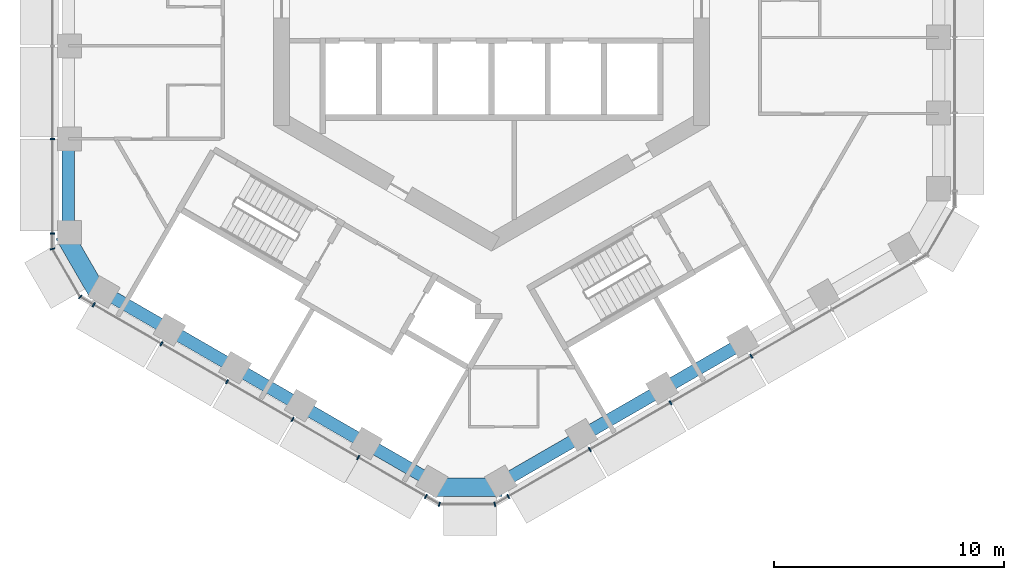
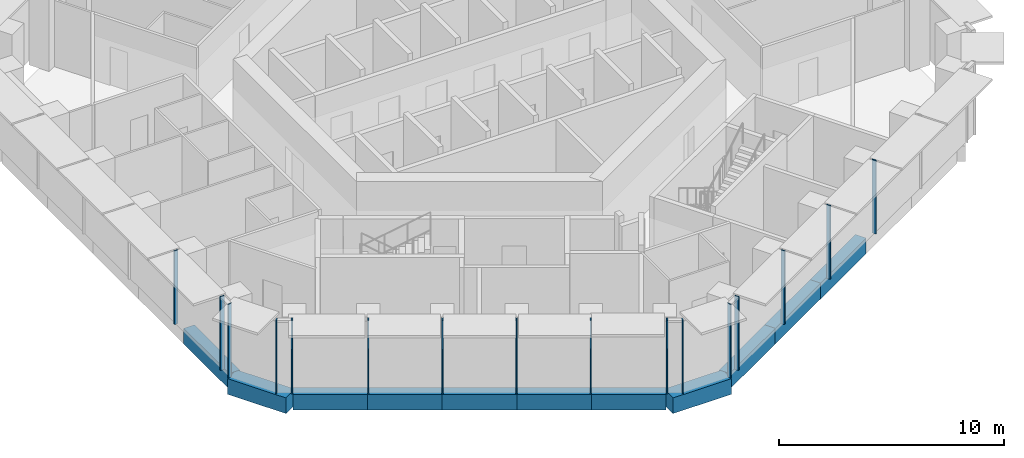
# One storey, part 2 of 28: 16 members, 11 beams, 5 elements without a shape of their own.
"""IFC4 building model written with IfcOpenShell, lengths in metres."""

from ifc_helpers import new_model, si_unit, direction, frame, origin, origin_2d, place, context, subcontext, project, spatial, rectangle, extrude, material, layer, layer_set, material_profile, profile_set, type_object, element, aggregate, save


model = new_model("IFC4")

# Units and contexts
model_context = context("Model", 3, precision=1e-05, world=origin(), true_north=direction((0.0, 1.0)))
body_context = subcontext(model_context, "Body", "Model", "MODEL_VIEW")
ifc_project = project(units=[si_unit("LENGTHUNIT", "METRE"), si_unit("AREAUNIT", "SQUARE_METRE"), si_unit("VOLUMEUNIT", "CUBIC_METRE"), si_unit("PLANEANGLEUNIT", "RADIAN"), si_unit("MASSUNIT", "GRAM", prefix="KILO")], contexts=[model_context])

# Site, building, storey
site_placement = place(None, origin())
site = spatial("IfcSite", under=ifc_project, at=site_placement, CompositionType="ELEMENT")
building_placement = place(site_placement, origin())
building = spatial("IfcBuilding", under=site, at=building_placement, Name="Ayvan Gate Tower", CompositionType="ELEMENT")
storey_placement = place(building_placement, frame((0.0, 0.0, 143.89990234375)))
storey = spatial("IfcBuildingStorey", under=building, at=storey_placement, Name="L38", CompositionType="ELEMENT", Elevation=143.89990234375)

# Beams
ifc_material_1 = material(Name="Concrete C40/50", Category="concrete")
ifc_material_profile_1 = material_profile(ifc_material_1, rectangle(XDim=0.800048828125, YDim=0.85009765625, at=origin_2d()), Name="RC 800x850")
ifc_profile_set_1 = profile_set([ifc_material_profile_1], Name="Concrete C40/50")
beam_type_1 = type_object("IfcBeamType", Name="Corner spandrel beam RC 800x850 C40/50", PredefinedType="BEAM", material=ifc_profile_set_1)
beam_1_placement = place(storey_placement, frame((-18.629150390625, -10.232421875, -0.824951171875), z_axis=(0.50002537861, -0.866010750942, 0.0), x_axis=(0.866010750942, 0.50002537861, 0.0)))
element("IfcBeam", 1, at=beam_1_placement, inside=storey, type_object=beam_type_1, Name="SB-L38-24", PredefinedType="BEAM", context=body_context, shape_type="SweptSolid", body=[
    extrude(rectangle(XDim=0.800048828125, YDim=0.85009765625, at=origin_2d()), origin(), (0.0, 0.0, 1.0), 2.999755859375),
])
beam_2_placement = place(storey_placement, frame((-2.546875, -21.24951171875, -0.824951171875), z_axis=(1.0, 0.0, 0.0), x_axis=(0.0, 1.0, 0.0)))
element("IfcBeam", 2, at=beam_2_placement, inside=storey, type_object=beam_type_1, Name="SB-L38-30", PredefinedType="BEAM", context=body_context, shape_type="SweptSolid", body=[
    extrude(rectangle(XDim=0.800048828125, YDim=0.85009765625, at=origin_2d()), origin(), (0.0, 0.0, 1.0), 3.0),
])
ifc_material_profile_2 = material_profile(ifc_material_1, rectangle(XDim=0.550048828125, YDim=0.85009765625, at=origin_2d()), Name="RC 550x850")
ifc_profile_set_2 = profile_set([ifc_material_profile_2], Name="Concrete C40/50")
beam_type_2 = type_object("IfcBeamType", Name="Spandrel beam RC 550x850 C40/50", PredefinedType="BEAM", material=ifc_profile_set_2)
beam_3_placement = place(storey_placement, frame((-18.438720703125, -6.073486328125, -0.824951171875), z_axis=(0.0, -1.0, 0.0), x_axis=(1.0, 0.0, 0.0)))
element("IfcBeam", 3, at=beam_3_placement, inside=storey, type_object=beam_type_2, Name="SB-L38-23", PredefinedType="BEAM", context=body_context, shape_type="SweptSolid", body=[
    extrude(rectangle(XDim=0.550048828125, YDim=0.85009765625, at=origin_2d()), origin(), (0.0, 0.0, 1.0), 4.048828125),
])
for number, where, z_axis, x_axis, name in (
    (4, (-16.938720703125, -12.720458984375, -0.824951171875), (0.866024121142, -0.500002221596, 0.0), (0.500002221596, 0.866024121142, 0.0), "SB-L38-25"),
    (5, (-14.060302734375, -14.38232421875, -0.824951171875), (0.866024121142, -0.500002221596, 0.0), (0.500002221596, 0.866024121142, 0.0), "SB-L38-26"),
):
    element("IfcBeam", number, at=place(storey_placement, frame(where, z_axis=z_axis, x_axis=x_axis)), inside=storey, type_object=beam_type_2, Name=name, PredefinedType="BEAM", context=body_context, shape_type="SweptSolid", body=[
        extrude(rectangle(XDim=0.550048828125, YDim=0.85009765625, at=origin_2d()), origin(), (0.0, 0.0, 1.0), 3.32373046875),
    ])
beam_4_placement = place(storey_placement, frame((-11.181884765625, -16.044189453125, -0.824951171875), z_axis=(0.866037565146, -0.499978935311, 0.0), x_axis=(0.499978935311, 0.866037565146, 0.0)))
element("IfcBeam", 6, at=beam_4_placement, inside=storey, type_object=beam_type_2, Name="SB-L38-27", PredefinedType="BEAM", context=body_context, shape_type="SweptSolid", body=[
    extrude(rectangle(XDim=0.550048828125, YDim=0.85009765625, at=origin_2d()), origin(), (0.0, 0.0, 1.0), 3.323486328125),
])
for number, where, z_axis, x_axis, name in (
    (7, (-8.3037109375, -17.705810546875, -0.824951171875), (0.866024121142, -0.500002221596, 0.0), (0.500002221596, 0.866024121142, 0.0), "SB-L38-28"),
    (8, (-5.42529296875, -19.36767578125, -0.824951171875), (0.866024121142, -0.500002221596, 0.0), (0.500002221596, 0.866024121142, 0.0), "SB-L38-29"),
):
    element("IfcBeam", number, at=place(storey_placement, frame(where, z_axis=z_axis, x_axis=x_axis)), inside=storey, type_object=beam_type_2, Name=name, PredefinedType="BEAM", context=body_context, shape_type="SweptSolid", body=[
        extrude(rectangle(XDim=0.550048828125, YDim=0.85009765625, at=origin_2d()), origin(), (0.0, 0.0, 1.0), 3.32373046875),
    ])
beam_5_placement = place(storey_placement, frame((0.453125, -21.029541015625, -0.824951171875), z_axis=(0.866037985928, 0.499978206455, 0.0), x_axis=(-0.499978206455, 0.866037985928, 0.0)))
element("IfcBeam", 9, at=beam_5_placement, inside=storey, type_object=beam_type_2, Name="SB-L38-31", PredefinedType="BEAM", context=body_context, shape_type="SweptSolid", body=[
    extrude(rectangle(XDim=0.550048828125, YDim=0.85009765625, at=origin_2d()), origin(), (0.0, 0.0, 1.0), 4.049072265625),
])
beam_6_placement = place(storey_placement, frame((3.959716796875, -19.005126953125, -0.824951171875), z_axis=(0.866022911947, 0.500004315964, 0.0), x_axis=(-0.500004315964, 0.866022911947, 0.0)))
element("IfcBeam", 10, at=beam_6_placement, inside=storey, type_object=beam_type_2, Name="SB-L38-32", PredefinedType="BEAM", context=body_context, shape_type="SweptSolid", body=[
    extrude(rectangle(XDim=0.550048828125, YDim=0.85009765625, at=origin_2d()), origin(), (0.0, 0.0, 1.0), 4.048828125),
])
beam_7_placement = place(storey_placement, frame((7.466064453125, -16.980712890625, -0.824951171875), z_axis=(0.866011877162, 0.500023428065, 0.0), x_axis=(-0.500023428065, 0.866011877162, 0.0)))
element("IfcBeam", 11, at=beam_7_placement, inside=storey, type_object=beam_type_2, Name="SB-L38-33", PredefinedType="BEAM", context=body_context, shape_type="SweptSolid", body=[
    extrude(rectangle(XDim=0.550048828125, YDim=0.85009765625, at=origin_2d()), origin(), (0.0, 0.0, 1.0), 4.049072265625),
])

# Curtain wall, members
ifc_material_2 = material(Name="Bronze anodised aluminium", Category="aluminium")
ifc_layer_1 = layer(ifc_material_2, 0.199951171875)
ifc_layer_set_1 = layer_set([ifc_layer_1], Name="Bronze anodised aluminium")
curtain_wall_type_1 = type_object("IfcCurtainWallType", Name="Stick curtain wall CW-1", PredefinedType="NOTDEFINED", material=ifc_layer_set_1)
curtain_wall_1_placement = place(storey_placement, origin())
curtain_wall_1 = element("IfcCurtainWall", 12, at=curtain_wall_1_placement, inside=storey, type_object=curtain_wall_type_1, Name="Stick curtain wall CW-1 L38", PredefinedType="NOTDEFINED")
ifc_material_profile_3 = material_profile(ifc_material_2, rectangle(XDim=0.199951171875, YDim=0.06005859375, at=origin_2d()), Name="Stick curtain wall CW-1 mullion 200 x 60")
ifc_profile_set_3 = profile_set([ifc_material_profile_3], Name="Bronze anodised aluminium")
member_type_1 = type_object("IfcMemberType", Name="Stick curtain wall CW-1 mullion 200 x 60", PredefinedType="MULLION", material=ifc_profile_set_3)
member_1_placement = place(storey_placement, frame((-19.124267578125, -6.090087890625, 0.0), z_axis=(0.0, 0.0, 1.0), x_axis=(-1.0, 0.0, 0.0)))
member_1 = element("IfcMember", 13, at=member_1_placement, type_object=member_type_1, Name="CW-1 mullion 5", PredefinedType="MULLION", context=body_context, shape_type="SweptSolid", body=[
    extrude(rectangle(XDim=0.199951171875, YDim=0.06005859375, at=origin_2d()), origin(), (0.0, 0.0, 1.0), 4.0),
])
member_2_placement = place(storey_placement, frame((-19.124267578125, -10.19287109375, 0.0), z_axis=(0.0, 0.0, 1.0), x_axis=(-1.0, 0.0, 0.0)))
member_2 = element("IfcMember", 14, at=member_2_placement, type_object=member_type_1, Name="CW-1 mullion 6", PredefinedType="MULLION", context=body_context, shape_type="SweptSolid", body=[
    extrude(rectangle(XDim=0.199951171875, YDim=0.06005859375, at=origin_2d()), origin(), (0.0, 0.0, 1.0), 4.0),
])
aggregate(curtain_wall_1, [member_1, member_2])

curtain_wall_2_placement = place(storey_placement, origin())
curtain_wall_2 = element("IfcCurtainWall", 15, at=curtain_wall_2_placement, inside=storey, type_object=curtain_wall_type_1, Name="Stick curtain wall CW-1 L38", PredefinedType="NOTDEFINED")
member_3_placement = place(storey_placement, frame((-17.328125, -13.303955078125, 0.0), z_axis=(0.0, 0.0, 1.0), x_axis=(-0.5, -0.866025403784, 0.0)))
member_3 = element("IfcMember", 16, at=member_3_placement, type_object=member_type_1, Name="CW-1 mullion 1", PredefinedType="MULLION", context=body_context, shape_type="SweptSolid", body=[
    extrude(rectangle(XDim=0.199951171875, YDim=0.06005859375, at=origin_2d()), origin(), (0.0, 0.0, 1.0), 4.0),
])
member_4_placement = place(storey_placement, frame((-14.381103515625, -15.00537109375, 0.0), z_axis=(0.0, 0.0, 1.0), x_axis=(-0.5, -0.866025403784, 0.0)))
member_4 = element("IfcMember", 17, at=member_4_placement, type_object=member_type_1, Name="CW-1 mullion 2", PredefinedType="MULLION", context=body_context, shape_type="SweptSolid", body=[
    extrude(rectangle(XDim=0.199951171875, YDim=0.06005859375, at=origin_2d()), origin(), (0.0, 0.0, 1.0), 4.0),
])
member_5_placement = place(storey_placement, frame((-11.522216796875, -16.656005859375, 0.0), z_axis=(0.0, 0.0, 1.0), x_axis=(-0.5, -0.866025403784, 0.0)))
member_5 = element("IfcMember", 18, at=member_5_placement, type_object=member_type_1, Name="CW-1 mullion 3", PredefinedType="MULLION", context=body_context, shape_type="SweptSolid", body=[
    extrude(rectangle(XDim=0.199951171875, YDim=0.06005859375, at=origin_2d()), origin(), (0.0, 0.0, 1.0), 4.0),
])
member_6_placement = place(storey_placement, frame((-8.66357421875, -18.306396484375, 0.0), z_axis=(0.0, 0.0, 1.0), x_axis=(-0.5, -0.866025403784, 0.0)))
member_6 = element("IfcMember", 19, at=member_6_placement, type_object=member_type_1, Name="CW-1 mullion 4", PredefinedType="MULLION", context=body_context, shape_type="SweptSolid", body=[
    extrude(rectangle(XDim=0.199951171875, YDim=0.06005859375, at=origin_2d()), origin(), (0.0, 0.0, 1.0), 4.0),
])
member_7_placement = place(storey_placement, frame((-5.8046875, -19.956787109375, 0.0), z_axis=(0.0, 0.0, 1.0), x_axis=(-0.5, -0.866025403784, 0.0)))
member_7 = element("IfcMember", 20, at=member_7_placement, type_object=member_type_1, Name="CW-1 mullion 5", PredefinedType="MULLION", context=body_context, shape_type="SweptSolid", body=[
    extrude(rectangle(XDim=0.199951171875, YDim=0.06005859375, at=origin_2d()), origin(), (0.0, 0.0, 1.0), 4.0),
])
member_8_placement = place(storey_placement, frame((-2.857421875, -21.658447265625, 0.0), z_axis=(0.0, 0.0, 1.0), x_axis=(-0.5, -0.866025403784, 0.0)))
member_8 = element("IfcMember", 21, at=member_8_placement, type_object=member_type_1, Name="CW-1 mullion 6", PredefinedType="MULLION", context=body_context, shape_type="SweptSolid", body=[
    extrude(rectangle(XDim=0.199951171875, YDim=0.06005859375, at=origin_2d()), origin(), (0.0, 0.0, 1.0), 4.0),
])
aggregate(curtain_wall_2, [member_3, member_4, member_5, member_6, member_7, member_8])

curtain_wall_3_placement = place(storey_placement, origin())
curtain_wall_3 = element("IfcCurtainWall", 22, at=curtain_wall_3_placement, inside=storey, type_object=curtain_wall_type_1, Name="Stick curtain wall CW-1 L38", PredefinedType="NOTDEFINED")
member_9_placement = place(storey_placement, frame((0.73486328125, -21.658447265625, 0.0), z_axis=(0.0, 0.0, 1.0), x_axis=(0.5, -0.866025403784, 0.0)))
member_9 = element("IfcMember", 23, at=member_9_placement, type_object=member_type_1, Name="CW-1 mullion 1", PredefinedType="MULLION", context=body_context, shape_type="SweptSolid", body=[
    extrude(rectangle(XDim=0.199951171875, YDim=0.06005859375, at=origin_2d()), origin(), (0.0, 0.0, 1.0), 4.0),
])
member_10_placement = place(storey_placement, frame((4.287353515625, -19.607666015625, 0.0), z_axis=(0.0, 0.0, 1.0), x_axis=(0.5, -0.866025403784, 0.0)))
member_10 = element("IfcMember", 24, at=member_10_placement, type_object=member_type_1, Name="CW-1 mullion 2", PredefinedType="MULLION", context=body_context, shape_type="SweptSolid", body=[
    extrude(rectangle(XDim=0.199951171875, YDim=0.06005859375, at=origin_2d()), origin(), (0.0, 0.0, 1.0), 4.0),
])
member_11_placement = place(storey_placement, frame((7.80419921875, -17.5771484375, 0.0), z_axis=(0.0, 0.0, 1.0), x_axis=(0.5, -0.866025403784, 0.0)))
member_11 = element("IfcMember", 25, at=member_11_placement, type_object=member_type_1, Name="CW-1 mullion 3", PredefinedType="MULLION", context=body_context, shape_type="SweptSolid", body=[
    extrude(rectangle(XDim=0.199951171875, YDim=0.06005859375, at=origin_2d()), origin(), (0.0, 0.0, 1.0), 4.0),
])
member_12_placement = place(storey_placement, frame((11.3203125, -15.547119140625, 0.0), z_axis=(0.0, 0.0, 1.0), x_axis=(0.5, -0.866025403784, 0.0)))
member_12 = element("IfcMember", 26, at=member_12_placement, type_object=member_type_1, Name="CW-1 mullion 4", PredefinedType="MULLION", context=body_context, shape_type="SweptSolid", body=[
    extrude(rectangle(XDim=0.199951171875, YDim=0.06005859375, at=origin_2d()), origin(), (0.0, 0.0, 1.0), 4.0),
])
aggregate(curtain_wall_3, [member_9, member_10, member_11, member_12])

ifc_layer_2 = layer(ifc_material_2, 0.199951171875)
ifc_layer_set_2 = layer_set([ifc_layer_2], Name="Bronze anodised aluminium")
curtain_wall_type_2 = type_object("IfcCurtainWallType", Name="Stick curtain wall CW-6", PredefinedType="NOTDEFINED", material=ifc_layer_set_2)
curtain_wall_4_placement = place(storey_placement, origin())
curtain_wall_4 = element("IfcCurtainWall", 27, at=curtain_wall_4_placement, inside=storey, type_object=curtain_wall_type_2, Name="Stick curtain wall CW-6 L38", PredefinedType="NOTDEFINED")
ifc_material_profile_4 = material_profile(ifc_material_2, rectangle(XDim=0.199951171875, YDim=0.050048828125, at=origin_2d()), Name="Stick curtain wall CW-6 mullion 200 x 50")
ifc_profile_set_4 = profile_set([ifc_material_profile_4], Name="Bronze anodised aluminium")
member_type_2 = type_object("IfcMemberType", Name="Stick curtain wall CW-6 mullion 200 x 50", PredefinedType="MULLION", material=ifc_profile_set_4)
member_13_placement = place(storey_placement, frame((-19.124267578125, -10.872802734375, 0.0), z_axis=(0.0, 0.0, 1.0), x_axis=(-0.965925826289, -0.258819045103, 0.0)))
member_13 = element("IfcMember", 28, at=member_13_placement, type_object=member_type_2, Name="CW-6 mullion 2", PredefinedType="MULLION", context=body_context, shape_type="SweptSolid", body=[
    extrude(rectangle(XDim=0.199951171875, YDim=0.050048828125, at=origin_2d()), origin(), (0.0, 0.0, 1.0), 4.0),
])
member_14_placement = place(storey_placement, frame((-17.9169921875, -12.9638671875, 0.0), z_axis=(0.0, 0.0, 1.0), x_axis=(-0.707106781187, -0.707106781187, 0.0)))
member_14 = element("IfcMember", 29, at=member_14_placement, type_object=member_type_2, Name="CW-6 mullion 3", PredefinedType="MULLION", context=body_context, shape_type="SweptSolid", body=[
    extrude(rectangle(XDim=0.199951171875, YDim=0.050048828125, at=origin_2d()), origin(), (0.0, 0.0, 1.0), 4.0),
])
aggregate(curtain_wall_4, [member_13, member_14])

curtain_wall_5_placement = place(storey_placement, origin())
curtain_wall_5 = element("IfcCurtainWall", 30, at=curtain_wall_5_placement, inside=storey, type_object=curtain_wall_type_2, Name="Stick curtain wall CW-6 L38", PredefinedType="NOTDEFINED")
member_15_placement = place(storey_placement, frame((-2.2685546875, -21.99853515625, 0.0), z_axis=(0.0, 0.0, 1.0), x_axis=(-0.258819045103, -0.965925826289, 0.0)))
member_15 = element("IfcMember", 31, at=member_15_placement, type_object=member_type_2, Name="CW-6 mullion 2", PredefinedType="MULLION", context=body_context, shape_type="SweptSolid", body=[
    extrude(rectangle(XDim=0.199951171875, YDim=0.050048828125, at=origin_2d()), origin(), (0.0, 0.0, 1.0), 4.0),
])
member_16_placement = place(storey_placement, frame((0.14599609375, -21.99853515625, 0.0), z_axis=(0.0, 0.0, 1.0), x_axis=(0.258819045103, -0.965925826289, 0.0)))
member_16 = element("IfcMember", 32, at=member_16_placement, type_object=member_type_2, Name="CW-6 mullion 3", PredefinedType="MULLION", context=body_context, shape_type="SweptSolid", body=[
    extrude(rectangle(XDim=0.199951171875, YDim=0.050048828125, at=origin_2d()), origin(), (0.0, 0.0, 1.0), 4.0),
])
aggregate(curtain_wall_5, [member_15, member_16])

save(model, "model.ifc")
